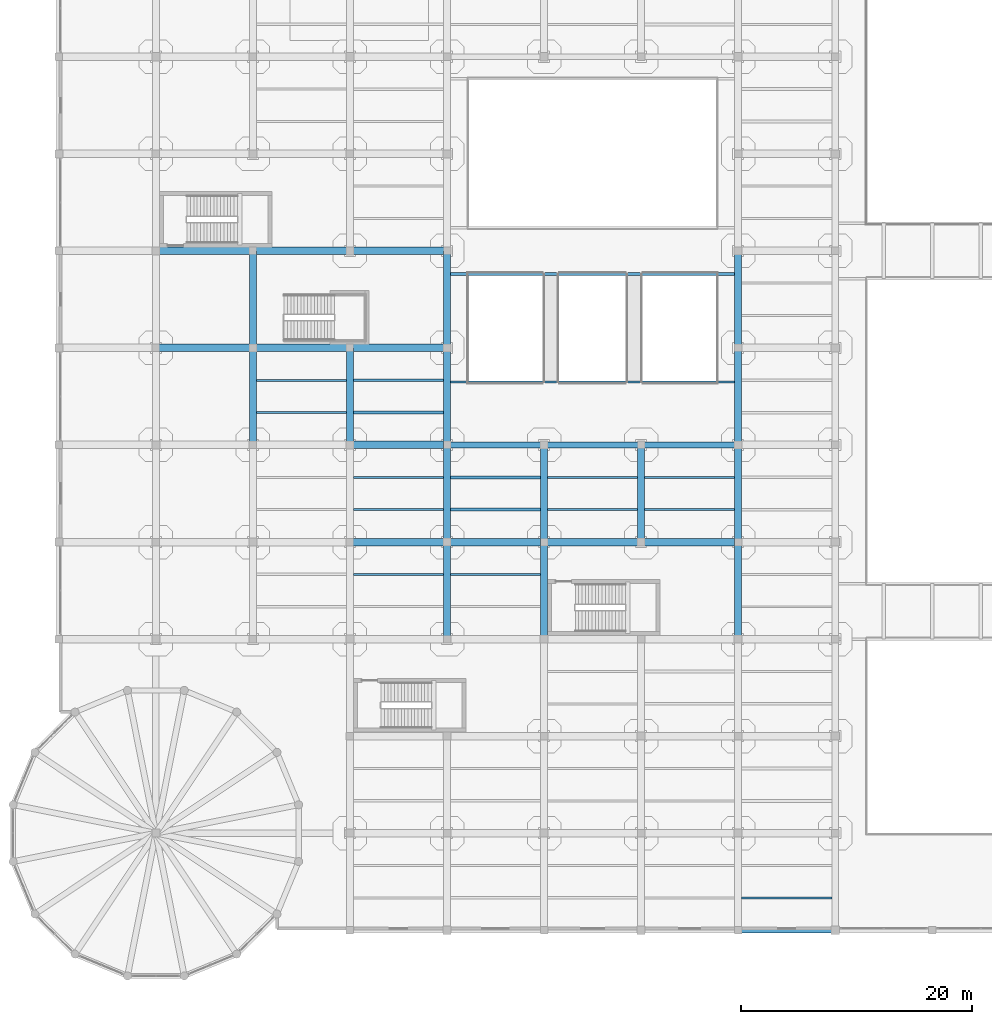
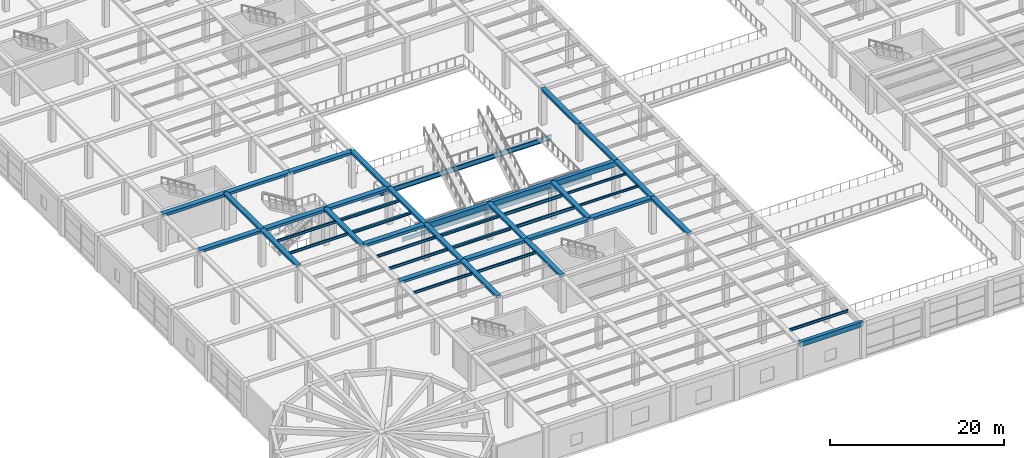
# One storey, part 22 of 95: 46 beams.
"""IFC4 building model written with IfcOpenShell, lengths in metres."""

from ifc_helpers import new_model, si_unit, direction, frame, origin, origin_2d, place, context, subcontext, project, spatial, rectangle, i_section, extrude, material, material_profile, profile_set, type_object, element, save


model = new_model("IFC4")

# Units and contexts
model_context = context("Model", 3, precision=1e-05, world=origin(), true_north=direction((0.0, 1.0)))
body_context = subcontext(model_context, "Body", "Model", "MODEL_VIEW")
ifc_project = project(units=[si_unit("LENGTHUNIT", "METRE"), si_unit("AREAUNIT", "SQUARE_METRE"), si_unit("VOLUMEUNIT", "CUBIC_METRE"), si_unit("PLANEANGLEUNIT", "RADIAN"), si_unit("MASSUNIT", "GRAM", prefix="KILO")], contexts=[model_context])

# Site, building, storey
site_placement = place(None, origin())
site = spatial("IfcSite", under=ifc_project, at=site_placement, CompositionType="ELEMENT")
building_placement = place(site_placement, origin())
building = spatial("IfcBuilding", under=site, at=building_placement, Name="Almacenes y Pasaje Nevantli", CompositionType="ELEMENT")
storey_placement = place(building_placement, frame((0.0, 0.0, 11.39990234375)))
storey = spatial("IfcBuildingStorey", under=building, at=storey_placement, Name="L03", CompositionType="ELEMENT", Elevation=11.39990234375)

# Beams
ifc_material_1 = material(Name="Concrete C35/45", Category="concrete")
ifc_material_profile_1 = material_profile(ifc_material_1, rectangle(XDim=0.449951171875, YDim=0.64990234375, at=origin_2d()), Name="RC-BM-450x650")
ifc_profile_set_1 = profile_set([ifc_material_profile_1], Name="Concrete C35/45")
beam_type_1 = type_object("IfcBeamType", Name="BM-RC-450x650", PredefinedType="SPANDREL", material=ifc_profile_set_1)
beam_1_placement = place(storey_placement, frame((58.800048828125, 0.0, 4.775146484375), z_axis=(1.0, 0.0, 0.0), x_axis=(0.0, 1.0, 0.0)))
element("IfcBeam", 1, at=beam_1_placement, inside=storey, type_object=beam_type_1, Name="L03 East-West Reinforced Concrete Beam #2241", PredefinedType="SPANDREL", context=body_context, shape_type="SweptSolid", body=[
    extrude(rectangle(XDim=0.449951171875, YDim=0.64990234375, at=origin_2d()), origin(), (0.0, 0.0, 1.0), 8.39990234375),
])
ifc_material_2 = material(Name="Concrete C35/45", Category="concrete")
ifc_material_profile_2 = material_profile(ifc_material_2, rectangle(XDim=0.5, YDim=0.699951171875, at=origin_2d()), Name="RC-BM-500x700")
ifc_profile_set_2 = profile_set([ifc_material_profile_2], Name="Concrete C35/45")
beam_type_2 = type_object("IfcBeamType", Name="BM-RC-500x700", PredefinedType="BEAM", material=ifc_profile_set_2)
beam_2_placement = place(storey_placement, frame((42.0, 42.0, 4.75), z_axis=(1.0, 0.0, 0.0), x_axis=(0.0, 1.0, 0.0)))
element("IfcBeam", 2, at=beam_2_placement, inside=storey, type_object=beam_type_2, Name="L03 East-West Reinforced Concrete Beam #2321", PredefinedType="BEAM", context=body_context, shape_type="SweptSolid", body=[
    extrude(rectangle(XDim=0.5, YDim=0.699951171875, at=origin_2d()), origin(), (0.0, 0.0, 1.0), 8.39990234375),
])
ifc_material_3 = material(Name="Concrete C35/45", Category="concrete")
ifc_material_profile_3 = material_profile(ifc_material_3, rectangle(XDim=0.5, YDim=0.75, at=origin_2d()), Name="RC-BM-500x750")
ifc_profile_set_3 = profile_set([ifc_material_profile_3], Name="Concrete C35/45")
beam_type_3 = type_object("IfcBeamType", Name="BM-RC-500x750", PredefinedType="BEAM", material=ifc_profile_set_3)
beam_3_placement = place(storey_placement, frame((33.60009765625, 42.0, 4.72509765625), z_axis=(1.0, 0.0, 0.0), x_axis=(0.0, 1.0, 0.0)))
element("IfcBeam", 3, at=beam_3_placement, inside=storey, type_object=beam_type_3, Name="L03 East-West Reinforced Concrete Beam #2320", PredefinedType="BEAM", context=body_context, shape_type="SweptSolid", body=[
    extrude(rectangle(XDim=0.5, YDim=0.75, at=origin_2d()), origin(), (0.0, 0.0, 1.0), 8.39990234375),
])
beam_4_placement = place(storey_placement, frame((50.39990234375, 42.0, 4.72509765625), z_axis=(1.0, 0.0, 0.0), x_axis=(0.0, 1.0, 0.0)))
element("IfcBeam", 4, at=beam_4_placement, inside=storey, type_object=beam_type_3, Name="L03 East-West Reinforced Concrete Beam #2322", PredefinedType="BEAM", context=body_context, shape_type="SweptSolid", body=[
    extrude(rectangle(XDim=0.5, YDim=0.75, at=origin_2d()), origin(), (0.0, 0.0, 1.0), 8.400146484375),
])
ifc_material_4 = material(Name="Concrete C35/45", Category="concrete")
ifc_material_profile_4 = material_profile(ifc_material_4, rectangle(XDim=0.60009765625, YDim=0.320068359375, at=origin_2d()), Name="RC-BM-600x320")
ifc_profile_set_4 = profile_set([ifc_material_profile_4], Name="Concrete C35/45")
beam_type_4 = type_object("IfcBeamType", Name="BM-RC-600x320", PredefinedType="BEAM", material=ifc_profile_set_4)
beam_5_placement = place(storey_placement, frame((16.800048828125, 42.0, 4.940185546875), z_axis=(0.0, 1.0, 0.0), x_axis=(-1.0, 0.0, 0.0)))
element("IfcBeam", 5, at=beam_5_placement, inside=storey, type_object=beam_type_4, Name="L03 North-South Reinforced Concrete Beam #2504", PredefinedType="BEAM", context=body_context, shape_type="SweptSolid", body=[
    extrude(rectangle(XDim=0.60009765625, YDim=0.320068359375, at=origin_2d()), origin(), (0.0, 0.0, 1.0), 8.39990234375),
])
beam_6_placement = place(storey_placement, frame((33.60009765625, 25.199951171875, 4.940185546875), z_axis=(0.0, 1.0, 0.0), x_axis=(-1.0, 0.0, 0.0)))
element("IfcBeam", 6, at=beam_6_placement, inside=storey, type_object=beam_type_4, Name="L03 North-South Reinforced Concrete Beam #2526", PredefinedType="BEAM", context=body_context, shape_type="SweptSolid", body=[
    extrude(rectangle(XDim=0.60009765625, YDim=0.320068359375, at=origin_2d()), origin(), (0.0, 0.0, 1.0), 8.400146484375),
])
for number, where, z_axis, x_axis, name in (
    (7, (33.60009765625, 42.0, 4.940185546875), (0.0, 1.0, 0.0), (-1.0, 0.0, 0.0), "L03 North-South Reinforced Concrete Beam #2528"),
    (8, (42.0, 33.60009765625, 4.940185546875), (0.0, 1.0, 0.0), (-1.0, 0.0, 0.0), "L03 North-South Reinforced Concrete Beam #2541"),
    (9, (58.800048828125, 33.60009765625, 4.940185546875), (0.0, 1.0, 0.0), (-1.0, 0.0, 0.0), "L03 North-South Reinforced Concrete Beam #2559"),
):
    element("IfcBeam", number, at=place(storey_placement, frame(where, z_axis=z_axis, x_axis=x_axis)), inside=storey, type_object=beam_type_4, Name=name, PredefinedType="BEAM", context=body_context, shape_type="SweptSolid", body=[
        extrude(rectangle(XDim=0.60009765625, YDim=0.320068359375, at=origin_2d()), origin(), (0.0, 0.0, 1.0), 8.39990234375),
    ])
beam_7_placement = place(storey_placement, frame((58.800048828125, 50.39990234375, 4.940185546875), z_axis=(0.0, 1.0, 0.0), x_axis=(-1.0, 0.0, 0.0)))
element("IfcBeam", 10, at=beam_7_placement, inside=storey, type_object=beam_type_4, Name="L03 North-South Reinforced Concrete Beam #2561", PredefinedType="BEAM", context=body_context, shape_type="SweptSolid", body=[
    extrude(rectangle(XDim=0.60009765625, YDim=0.320068359375, at=origin_2d()), origin(), (0.0, 0.0, 1.0), 8.400146484375),
])
ifc_material_5 = material(Name="Concrete C35/45", Category="concrete")
ifc_material_profile_5 = material_profile(ifc_material_5, rectangle(XDim=0.60009765625, YDim=0.340087890625, at=origin_2d()), Name="RC-BM-600x340")
ifc_profile_set_5 = profile_set([ifc_material_profile_5], Name="Concrete C35/45")
beam_type_5 = type_object("IfcBeamType", Name="BM-RC-600x340", PredefinedType="BEAM", material=ifc_profile_set_5)
beam_8_placement = place(storey_placement, frame((16.800048828125, 50.39990234375, 4.93017578125), z_axis=(0.0, 1.0, 0.0), x_axis=(-1.0, 0.0, 0.0)))
element("IfcBeam", 11, at=beam_8_placement, inside=storey, type_object=beam_type_5, Name="L03 North-South Reinforced Concrete Beam #2505", PredefinedType="BEAM", context=body_context, shape_type="SweptSolid", body=[
    extrude(rectangle(XDim=0.60009765625, YDim=0.340087890625, at=origin_2d()), origin(), (0.0, 0.0, 1.0), 8.400146484375),
])
for number, where, z_axis, x_axis, name in (
    (12, (25.199951171875, 42.0, 4.93017578125), (0.0, 1.0, 0.0), (-1.0, 0.0, 0.0), "L03 North-South Reinforced Concrete Beam #2516"),
    (13, (33.60009765625, 33.60009765625, 4.93017578125), (0.0, 1.0, 0.0), (-1.0, 0.0, 0.0), "L03 North-South Reinforced Concrete Beam #2527"),
):
    element("IfcBeam", number, at=place(storey_placement, frame(where, z_axis=z_axis, x_axis=x_axis)), inside=storey, type_object=beam_type_5, Name=name, PredefinedType="BEAM", context=body_context, shape_type="SweptSolid", body=[
        extrude(rectangle(XDim=0.60009765625, YDim=0.340087890625, at=origin_2d()), origin(), (0.0, 0.0, 1.0), 8.39990234375),
    ])
for number, where, z_axis, x_axis, name in (
    (14, (33.60009765625, 50.39990234375, 4.93017578125), (0.0, 1.0, 0.0), (-1.0, 0.0, 0.0), "L03 North-South Reinforced Concrete Beam #2529"),
    (15, (42.0, 25.199951171875, 4.93017578125), (0.0, 1.0, 0.0), (-1.0, 0.0, 0.0), "L03 North-South Reinforced Concrete Beam #2540"),
):
    element("IfcBeam", number, at=place(storey_placement, frame(where, z_axis=z_axis, x_axis=x_axis)), inside=storey, type_object=beam_type_5, Name=name, PredefinedType="BEAM", context=body_context, shape_type="SweptSolid", body=[
        extrude(rectangle(XDim=0.60009765625, YDim=0.340087890625, at=origin_2d()), origin(), (0.0, 0.0, 1.0), 8.400146484375),
    ])
beam_9_placement = place(storey_placement, frame((50.39990234375, 33.60009765625, 4.93017578125), z_axis=(0.0, 1.0, 0.0), x_axis=(-1.0, 0.0, 0.0)))
element("IfcBeam", 16, at=beam_9_placement, inside=storey, type_object=beam_type_5, Name="L03 North-South Reinforced Concrete Beam #2549", PredefinedType="BEAM", context=body_context, shape_type="SweptSolid", body=[
    extrude(rectangle(XDim=0.60009765625, YDim=0.340087890625, at=origin_2d()), origin(), (0.0, 0.0, 1.0), 8.39990234375),
])
beam_10_placement = place(storey_placement, frame((58.800048828125, 25.199951171875, 4.93017578125), z_axis=(0.0, 1.0, 0.0), x_axis=(-1.0, 0.0, 0.0)))
element("IfcBeam", 17, at=beam_10_placement, inside=storey, type_object=beam_type_5, Name="L03 North-South Reinforced Concrete Beam #2558", PredefinedType="BEAM", context=body_context, shape_type="SweptSolid", body=[
    extrude(rectangle(XDim=0.60009765625, YDim=0.340087890625, at=origin_2d()), origin(), (0.0, 0.0, 1.0), 8.400146484375),
])
beam_11_placement = place(storey_placement, frame((58.800048828125, 42.0, 4.93017578125), z_axis=(0.0, 1.0, 0.0), x_axis=(-1.0, 0.0, 0.0)))
element("IfcBeam", 18, at=beam_11_placement, inside=storey, type_object=beam_type_5, Name="L03 North-South Reinforced Concrete Beam #2560", PredefinedType="BEAM", context=body_context, shape_type="SweptSolid", body=[
    extrude(rectangle(XDim=0.60009765625, YDim=0.340087890625, at=origin_2d()), origin(), (0.0, 0.0, 1.0), 8.39990234375),
])
ifc_material_6 = material(Name="Concrete C35/45", Category="concrete")
ifc_material_profile_6 = material_profile(ifc_material_6, rectangle(XDim=0.64990234375, YDim=0.35009765625, at=origin_2d()), Name="RC-BM-650x350")
ifc_profile_set_6 = profile_set([ifc_material_profile_6], Name="Concrete C35/45")
beam_type_6 = type_object("IfcBeamType", Name="BM-RC-650x350", PredefinedType="BEAM", material=ifc_profile_set_6)
beam_12_placement = place(storey_placement, frame((25.199951171875, 33.60009765625, 4.925048828125), z_axis=(1.0, 0.0, 0.0), x_axis=(0.0, 1.0, 0.0)))
element("IfcBeam", 19, at=beam_12_placement, inside=storey, type_object=beam_type_6, Name="L03 East-West Reinforced Concrete Beam #2302", PredefinedType="BEAM", context=body_context, shape_type="SweptSolid", body=[
    extrude(rectangle(XDim=0.64990234375, YDim=0.35009765625, at=origin_2d()), origin(), (0.0, 0.0, 1.0), 8.400146484375),
])
beam_13_placement = place(storey_placement, frame((42.0, 33.60009765625, 4.925048828125), z_axis=(1.0, 0.0, 0.0), x_axis=(0.0, 1.0, 0.0)))
element("IfcBeam", 20, at=beam_13_placement, inside=storey, type_object=beam_type_6, Name="L03 East-West Reinforced Concrete Beam #2304", PredefinedType="BEAM", context=body_context, shape_type="SweptSolid", body=[
    extrude(rectangle(XDim=0.64990234375, YDim=0.35009765625, at=origin_2d()), origin(), (0.0, 0.0, 1.0), 8.39990234375),
])
for number, where, z_axis, x_axis, name in (
    (21, (8.39990234375, 50.39990234375, 4.925048828125), (1.0, 0.0, 0.0), (0.0, 1.0, 0.0), "L03 East-West Reinforced Concrete Beam #2334"),
    (22, (25.199951171875, 50.39990234375, 4.925048828125), (1.0, 0.0, 0.0), (0.0, 1.0, 0.0), "L03 East-West Reinforced Concrete Beam #2336"),
):
    element("IfcBeam", number, at=place(storey_placement, frame(where, z_axis=z_axis, x_axis=x_axis)), inside=storey, type_object=beam_type_6, Name=name, PredefinedType="BEAM", context=body_context, shape_type="SweptSolid", body=[
        extrude(rectangle(XDim=0.64990234375, YDim=0.35009765625, at=origin_2d()), origin(), (0.0, 0.0, 1.0), 8.400146484375),
    ])
beam_14_placement = place(storey_placement, frame((16.800048828125, 58.800048828125, 4.925048828125), z_axis=(1.0, 0.0, 0.0), x_axis=(0.0, 1.0, 0.0)))
element("IfcBeam", 23, at=beam_14_placement, inside=storey, type_object=beam_type_6, Name="L03 East-West Reinforced Concrete Beam #2349", PredefinedType="BEAM", context=body_context, shape_type="SweptSolid", body=[
    extrude(rectangle(XDim=0.64990234375, YDim=0.35009765625, at=origin_2d()), origin(), (0.0, 0.0, 1.0), 8.39990234375),
])
ifc_material_7 = material(Name="Concrete C35/45", Category="concrete")
ifc_material_profile_7 = material_profile(ifc_material_7, rectangle(XDim=0.64990234375, YDim=0.3798828125, at=origin_2d()), Name="RC-BM-650x380")
ifc_profile_set_7 = profile_set([ifc_material_profile_7], Name="Concrete C35/45")
beam_type_7 = type_object("IfcBeamType", Name="BM-RC-650x380", PredefinedType="BEAM", material=ifc_profile_set_7)
beam_15_placement = place(storey_placement, frame((33.60009765625, 33.60009765625, 4.91015625), z_axis=(1.0, 0.0, 0.0), x_axis=(0.0, 1.0, 0.0)))
element("IfcBeam", 24, at=beam_15_placement, inside=storey, type_object=beam_type_7, Name="L03 East-West Reinforced Concrete Beam #2303", PredefinedType="BEAM", context=body_context, shape_type="SweptSolid", body=[
    extrude(rectangle(XDim=0.64990234375, YDim=0.3798828125, at=origin_2d()), origin(), (0.0, 0.0, 1.0), 8.39990234375),
])
for number, where, z_axis, x_axis, name in (
    (25, (50.39990234375, 33.60009765625, 4.91015625), (1.0, 0.0, 0.0), (0.0, 1.0, 0.0), "L03 East-West Reinforced Concrete Beam #2305"),
    (26, (25.199951171875, 42.0, 4.91015625), (1.0, 0.0, 0.0), (0.0, 1.0, 0.0), "L03 East-West Reinforced Concrete Beam #2319"),
):
    element("IfcBeam", number, at=place(storey_placement, frame(where, z_axis=z_axis, x_axis=x_axis)), inside=storey, type_object=beam_type_7, Name=name, PredefinedType="BEAM", context=body_context, shape_type="SweptSolid", body=[
        extrude(rectangle(XDim=0.64990234375, YDim=0.3798828125, at=origin_2d()), origin(), (0.0, 0.0, 1.0), 8.400146484375),
    ])
beam_16_placement = place(storey_placement, frame((16.800048828125, 50.39990234375, 4.91015625), z_axis=(1.0, 0.0, 0.0), x_axis=(0.0, 1.0, 0.0)))
element("IfcBeam", 27, at=beam_16_placement, inside=storey, type_object=beam_type_7, Name="L03 East-West Reinforced Concrete Beam #2335", PredefinedType="BEAM", context=body_context, shape_type="SweptSolid", body=[
    extrude(rectangle(XDim=0.64990234375, YDim=0.3798828125, at=origin_2d()), origin(), (0.0, 0.0, 1.0), 8.39990234375),
])
for number, where, z_axis, x_axis, name in (
    (28, (8.39990234375, 58.800048828125, 4.91015625), (1.0, 0.0, 0.0), (0.0, 1.0, 0.0), "L03 East-West Reinforced Concrete Beam #2348"),
    (29, (25.199951171875, 58.800048828125, 4.91015625), (1.0, 0.0, 0.0), (0.0, 1.0, 0.0), "L03 East-West Reinforced Concrete Beam #2350"),
):
    element("IfcBeam", number, at=place(storey_placement, frame(where, z_axis=z_axis, x_axis=x_axis)), inside=storey, type_object=beam_type_7, Name=name, PredefinedType="BEAM", context=body_context, shape_type="SweptSolid", body=[
        extrude(rectangle(XDim=0.64990234375, YDim=0.3798828125, at=origin_2d()), origin(), (0.0, 0.0, 1.0), 8.400146484375),
    ])
ifc_material_8 = material(Name="Steel ASTM A992", Category="steel")
ifc_material_profile_8 = material_profile(ifc_material_8, i_section(OverallWidth=0.1650390625, OverallDepth=0.306884765625, WebThickness=0.006591796875, FlangeThickness=0.01025390625, at=origin_2d()), Name="IR 305x44.6")
ifc_profile_set_8 = profile_set([ifc_material_profile_8], Name="Steel ASTM A992")
beam_type_8 = type_object("IfcBeamType", Name="BM-STL-IR-305x44p6", PredefinedType="JOIST", material=ifc_profile_set_8)
for number, where, z_axis, x_axis, name in (
    (30, (50.699951171875, 36.39990234375, 4.9384765625), (1.0, 0.0, 0.0), (0.0, 1.0, 0.0), "L03 Secondary Steel Floor Joist #759"),
    (31, (50.699951171875, 39.199951171875, 4.9384765625), (1.0, 0.0, 0.0), (0.0, 1.0, 0.0), "L03 Secondary Steel Floor Joist #760"),
):
    element("IfcBeam", number, at=place(storey_placement, frame(where, z_axis=z_axis, x_axis=x_axis)), inside=storey, type_object=beam_type_8, Name=name, PredefinedType="JOIST", context=body_context, shape_type="SweptSolid", body=[
        extrude(i_section(OverallWidth=0.1650390625, OverallDepth=0.306884765625, WebThickness=0.006591796875, FlangeThickness=0.01025390625, at=origin_2d()), origin(), (0.0, 0.0, 1.0), 7.800048828125),
    ])
ifc_material_9 = material(Name="Steel ASTM A992", Category="steel")
ifc_material_profile_9 = material_profile(ifc_material_9, i_section(OverallWidth=0.173095703125, OverallDepth=0.35302734375, WebThickness=0.0078125, FlangeThickness=0.01318359375, at=origin_2d()), Name="IR 356x56.6")
ifc_profile_set_9 = profile_set([ifc_material_profile_9], Name="Steel ASTM A992")
beam_type_9 = type_object("IfcBeamType", Name="BM-STL-IR-356x56p6", PredefinedType="JOIST", material=ifc_profile_set_9)
beam_17_placement = place(storey_placement, frame((25.5, 30.800048828125, 4.91552734375), z_axis=(1.0, 0.0, 0.0), x_axis=(0.0, 1.0, 0.0)))
element("IfcBeam", 32, at=beam_17_placement, inside=storey, type_object=beam_type_9, Name="L03 Secondary Steel Floor Joist #702", PredefinedType="JOIST", context=body_context, shape_type="SweptSolid", body=[
    extrude(i_section(OverallWidth=0.173095703125, OverallDepth=0.35302734375, WebThickness=0.0078125, FlangeThickness=0.01318359375, at=origin_2d()), origin(), (0.0, 0.0, 1.0), 7.800048828125),
])
ifc_material_10 = material(Name="Steel ASTM A992", Category="steel")
ifc_material_profile_10 = material_profile(ifc_material_10, i_section(OverallWidth=0.173095703125, OverallDepth=0.364013671875, WebThickness=0.009033203125, FlangeThickness=0.015625, at=origin_2d()), Name="IR 356x67.0")
ifc_profile_set_10 = profile_set([ifc_material_profile_10], Name="Steel ASTM A992")
beam_type_10 = type_object("IfcBeamType", Name="BM-STL-IR-356x67p0", PredefinedType="JOIST", material=ifc_profile_set_10)
for number, where, z_axis, x_axis, name in (
    (33, (17.10009765625, 44.800048828125, 4.91015625), (1.0, 0.0, 0.0), (0.0, 1.0, 0.0), "L03 Secondary Steel Floor Joist #685"),
    (34, (17.10009765625, 47.60009765625, 4.91015625), (1.0, 0.0, 0.0), (0.0, 1.0, 0.0), "L03 Secondary Steel Floor Joist #686"),
):
    element("IfcBeam", number, at=place(storey_placement, frame(where, z_axis=z_axis, x_axis=x_axis)), inside=storey, type_object=beam_type_10, Name=name, PredefinedType="JOIST", context=body_context, shape_type="SweptSolid", body=[
        extrude(i_section(OverallWidth=0.173095703125, OverallDepth=0.364013671875, WebThickness=0.009033203125, FlangeThickness=0.015625, at=origin_2d()), origin(), (0.0, 0.0, 1.0), 7.7998046875),
    ])
for number, where, z_axis, x_axis, name in (
    (35, (25.5, 36.39990234375, 4.91015625), (1.0, 0.0, 0.0), (0.0, 1.0, 0.0), "L03 Secondary Steel Floor Joist #703"),
    (36, (25.5, 39.199951171875, 4.91015625), (1.0, 0.0, 0.0), (0.0, 1.0, 0.0), "L03 Secondary Steel Floor Joist #704"),
    (37, (33.89990234375, 30.800048828125, 4.91015625), (1.0, 0.0, 0.0), (0.0, 1.0, 0.0), "L03 Secondary Steel Floor Joist #726"),
):
    element("IfcBeam", number, at=place(storey_placement, frame(where, z_axis=z_axis, x_axis=x_axis)), inside=storey, type_object=beam_type_10, Name=name, PredefinedType="JOIST", context=body_context, shape_type="SweptSolid", body=[
        extrude(i_section(OverallWidth=0.173095703125, OverallDepth=0.364013671875, WebThickness=0.009033203125, FlangeThickness=0.015625, at=origin_2d()), origin(), (0.0, 0.0, 1.0), 7.800048828125),
    ])
beam_18_placement = place(storey_placement, frame((59.10009765625, 2.800048828125, 4.91015625), z_axis=(1.0, 0.0, 0.0), x_axis=(0.0, 1.0, 0.0)))
element("IfcBeam", 38, at=beam_18_placement, inside=storey, type_object=beam_type_10, Name="L03 Secondary Steel Floor Joist #769", PredefinedType="JOIST", context=body_context, shape_type="SweptSolid", body=[
    extrude(i_section(OverallWidth=0.173095703125, OverallDepth=0.364013671875, WebThickness=0.009033203125, FlangeThickness=0.015625, at=origin_2d()), origin(), (0.0, 0.0, 1.0), 7.824951171875),
])
ifc_material_11 = material(Name="Steel ASTM A992", Category="steel")
ifc_material_profile_11 = material_profile(ifc_material_11, i_section(OverallWidth=0.25390625, OverallDepth=0.35595703125, WebThickness=0.009521484375, FlangeThickness=0.016357421875, at=origin_2d()), Name="IR 356x79.0")
ifc_profile_set_11 = profile_set([ifc_material_profile_11], Name="Steel ASTM A992")
beam_type_11 = type_object("IfcBeamType", Name="BM-STL-IR-356x79p0", PredefinedType="JOIST", material=ifc_profile_set_11)
for number, where, z_axis, x_axis, name in (
    (39, (25.5, 44.800048828125, 4.9140625), (1.0, 0.0, 0.0), (0.0, 1.0, 0.0), "L03 Secondary Steel Floor Joist #705"),
    (40, (25.5, 47.60009765625, 4.9140625), (1.0, 0.0, 0.0), (0.0, 1.0, 0.0), "L03 Secondary Steel Floor Joist #706"),
    (41, (33.89990234375, 36.39990234375, 4.9140625), (1.0, 0.0, 0.0), (0.0, 1.0, 0.0), "L03 Secondary Steel Floor Joist #727"),
    (42, (33.89990234375, 39.199951171875, 4.9140625), (1.0, 0.0, 0.0), (0.0, 1.0, 0.0), "L03 Secondary Steel Floor Joist #728"),
):
    element("IfcBeam", number, at=place(storey_placement, frame(where, z_axis=z_axis, x_axis=x_axis)), inside=storey, type_object=beam_type_11, Name=name, PredefinedType="JOIST", context=body_context, shape_type="SweptSolid", body=[
        extrude(i_section(OverallWidth=0.25390625, OverallDepth=0.35595703125, WebThickness=0.009521484375, FlangeThickness=0.016357421875, at=origin_2d()), origin(), (0.0, 0.0, 1.0), 7.800048828125),
    ])
ifc_material_12 = material(Name="Steel ASTM A992", Category="steel")
ifc_material_profile_12 = material_profile(ifc_material_12, i_section(OverallWidth=0.178955078125, OverallDepth=0.406005859375, WebThickness=0.0087890625, FlangeThickness=0.014404296875, at=origin_2d()), Name="IR 406x67.0")
ifc_profile_set_12 = profile_set([ifc_material_profile_12], Name="Steel ASTM A992")
beam_type_12 = type_object("IfcBeamType", Name="BM-STL-IR-406x67p0", PredefinedType="JOIST", material=ifc_profile_set_12)
for number, where, z_axis, x_axis, name in (
    (43, (42.300048828125, 36.39990234375, 4.88916015625), (1.0, 0.0, 0.0), (0.0, 1.0, 0.0), "L03 Secondary Steel Floor Joist #743"),
    (44, (42.300048828125, 39.199951171875, 4.88916015625), (1.0, 0.0, 0.0), (0.0, 1.0, 0.0), "L03 Secondary Steel Floor Joist #744"),
):
    element("IfcBeam", number, at=place(storey_placement, frame(where, z_axis=z_axis, x_axis=x_axis)), inside=storey, type_object=beam_type_12, Name=name, PredefinedType="JOIST", context=body_context, shape_type="SweptSolid", body=[
        extrude(i_section(OverallWidth=0.178955078125, OverallDepth=0.406005859375, WebThickness=0.0087890625, FlangeThickness=0.014404296875, at=origin_2d()), origin(), (0.0, 0.0, 1.0), 7.800048828125),
    ])
ifc_material_13 = material(Name="Steel ASTM A992", Category="steel")
ifc_material_profile_13 = material_profile(ifc_material_13, i_section(OverallWidth=0.2119140625, OverallDepth=0.5439453125, WebThickness=0.01318359375, FlangeThickness=0.021240234375, at=origin_2d()), Name="IR 533x123.5")
ifc_profile_set_13 = profile_set([ifc_material_profile_13], Name="Steel ASTM A992")
beam_type_13 = type_object("IfcBeamType", Name="BM-STL-IR-533x123p5", PredefinedType="BEAM", material=ifc_profile_set_13)
beam_19_placement = place(storey_placement, frame((33.60009765625, 47.449951171875, -0.579833984375), z_axis=(1.0, 0.0, 0.0), x_axis=(0.0, 1.0, 0.0)))
element("IfcBeam", 45, at=beam_19_placement, inside=storey, type_object=beam_type_13, Name="L03 Atrium Escalator Bridge and Trimmer Girder #1", PredefinedType="BEAM", context=body_context, shape_type="SweptSolid", body=[
    extrude(i_section(OverallWidth=0.2119140625, OverallDepth=0.5439453125, WebThickness=0.01318359375, FlangeThickness=0.021240234375, at=origin_2d()), origin(), (0.0, 0.0, 1.0), 25.199951171875),
])
ifc_material_14 = material(Name="Steel ASTM A992", Category="steel")
ifc_material_profile_14 = material_profile(ifc_material_14, i_section(OverallWidth=0.25390625, OverallDepth=0.68798828125, WebThickness=0.01318359375, FlangeThickness=0.02099609375, at=origin_2d()), Name="IR 686x152.0")
ifc_profile_set_14 = profile_set([ifc_material_profile_14], Name="Steel ASTM A992")
beam_type_14 = type_object("IfcBeamType", Name="BM-STL-IR-686x152p0", PredefinedType="BEAM", material=ifc_profile_set_14)
beam_20_placement = place(storey_placement, frame((33.60009765625, 56.800048828125, -0.65185546875), z_axis=(1.0, 0.0, 0.0), x_axis=(0.0, 1.0, 0.0)))
element("IfcBeam", 46, at=beam_20_placement, inside=storey, type_object=beam_type_14, Name="L03 Atrium Escalator Bridge and Trimmer Girder #2", PredefinedType="BEAM", context=body_context, shape_type="SweptSolid", body=[
    extrude(i_section(OverallWidth=0.25390625, OverallDepth=0.68798828125, WebThickness=0.01318359375, FlangeThickness=0.02099609375, at=origin_2d()), origin(), (0.0, 0.0, 1.0), 25.199951171875),
])

save(model, "model.ifc")
